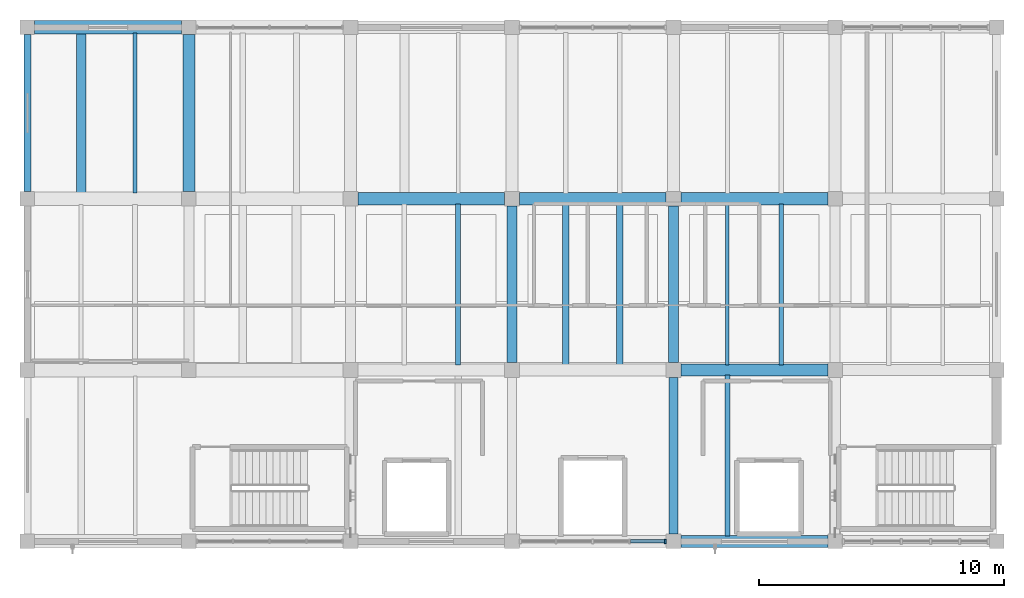
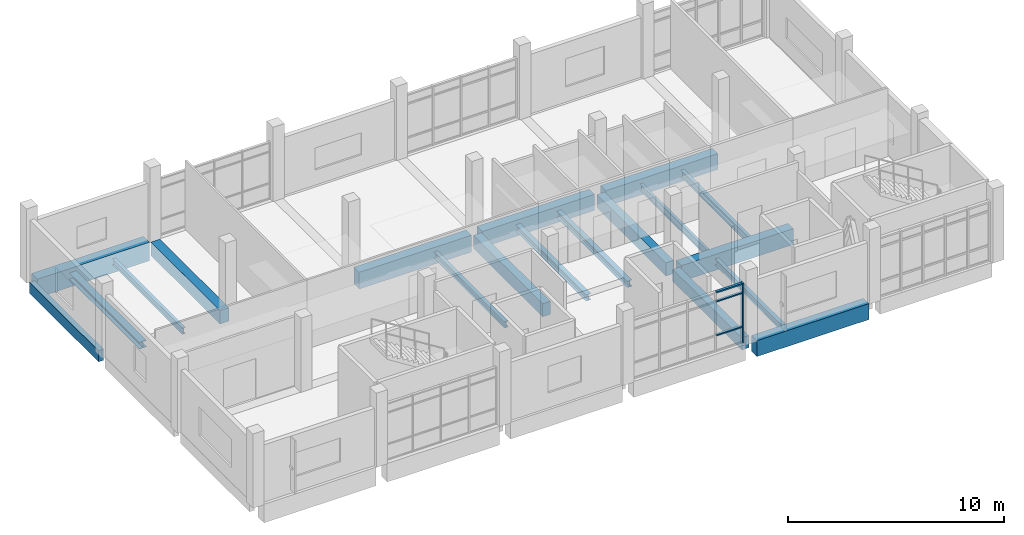
# One storey, part 3 of 14: 19 beams, 4 members, 1 element without a shape of its own.
"""IFC4 building model written with IfcOpenShell, lengths in metres."""

import ifcopenshell
import ifcopenshell.guid

model = None  # the IFC model being written
_history = None  # IfcOwnerHistory: only IFC2X3 demands one
_inside = {}  # id of a spatial element -> (the spatial element, [elements in it])
_under = {}  # id of a project, library or spatial element -> (it, [spatial elements below it])
_declared = {}  # id of a project -> (the project, [libraries it declares])
_typed = {}  # id of a type object -> (the type object, [elements of that type])
_made_of = {}  # id of a material, layer set ... -> (it, [elements and type objects made of it])


def new_model(schema):
    """Start an empty IFC model of exactly this schema.

    Asked for "IFC4X3", IfcOpenShell would pick the latest addendum, in which some entities
    have other attributes; the version numbers below select the first issue.
    IFC2X3 requires an IfcOwnerHistory on every rooted entity: one is made here for all.
    """
    global model, _history
    if schema == "IFC4X3":
        model = ifcopenshell.file(schema_version=(4, 3, 0, 0))
    else:
        model = ifcopenshell.file(schema=schema)
    _inside.clear()
    _under.clear()
    _declared.clear()
    _typed.clear()
    _made_of.clear()
    _history = None
    if model.schema == "IFC2X3":
        org = make("IfcOrganization", Name="unknown")
        user = make(
            "IfcPersonAndOrganization",
            ThePerson=make("IfcPerson", FamilyName="unknown"),
            TheOrganization=org,
        )
        app = make(
            "IfcApplication",
            ApplicationDeveloper=org,
            Version="unknown",
            ApplicationFullName="unknown",
            ApplicationIdentifier="unknown",
        )
        _history = make(
            "IfcOwnerHistory",
            OwningUser=user,
            OwningApplication=app,
            ChangeAction="ADDED",
            CreationDate=0,
        )
    return model


def make(cls, **values):
    """One entity of the class cls with the attributes given. An attribute that is None is left unset."""
    return model.create_entity(
        cls, **{name: value for name, value in values.items() if value is not None}
    )


def rooted(cls, **values):
    """An entity with a GlobalId (a new one), such as an element, a storey or a relation."""
    return make(cls, GlobalId=ifcopenshell.guid.new(), OwnerHistory=_history, **values)


def si_unit(unit_type, name, prefix=None):
    """IfcSIUnit, for example si_unit("LENGTHUNIT", "METRE", prefix="MILLI")."""
    return make("IfcSIUnit", UnitType=unit_type, Prefix=prefix, Name=name)


def assignment(units):
    """IfcUnitAssignment: the units of a project."""
    return None if units is None else make("IfcUnitAssignment", Units=units)


def point(xyz):
    """IfcCartesianPoint."""
    return None if xyz is None else make("IfcCartesianPoint", Coordinates=xyz)


def direction(xyz):
    """IfcDirection."""
    return None if xyz is None else make("IfcDirection", DirectionRatios=xyz)


def frame(location, z_axis=None, x_axis=None):
    """IfcAxis2Placement3D, a coordinate frame: its origin and axes. An axis left out is left unset."""
    return make(
        "IfcAxis2Placement3D",
        Location=point(location),
        Axis=direction(z_axis),
        RefDirection=direction(x_axis),
    )


def frame_2d(location, x_axis=None):
    """IfcAxis2Placement2D, a coordinate frame in the plane: its origin and x axis."""
    return make(
        "IfcAxis2Placement2D", Location=point(location), RefDirection=direction(x_axis)
    )


def origin():
    """The frame at (0, 0, 0) with its axes left unset."""
    return frame((0.0, 0.0, 0.0))


def origin_2d():
    """The frame at (0, 0) in the plane with its x axis left unset."""
    return frame_2d((0.0, 0.0))


def place(relative_to, where):
    """IfcLocalPlacement: puts the frame where relative to a parent placement (None: the world)."""
    return make(
        "IfcLocalPlacement", PlacementRelTo=relative_to, RelativePlacement=where
    )


def context(
    kind, dimensions, precision=None, world=None, true_north=None, identifier=None
):
    """IfcGeometricRepresentationContext, for example the 3D "Model" context."""
    return make(
        "IfcGeometricRepresentationContext",
        ContextIdentifier=identifier,
        ContextType=kind,
        CoordinateSpaceDimension=dimensions,
        Precision=precision,
        WorldCoordinateSystem=world,
        TrueNorth=true_north,
    )


def subcontext(parent, identifier, kind, view, scale=None):
    """IfcGeometricRepresentationSubContext, for example "Body" below "Model"."""
    return make(
        "IfcGeometricRepresentationSubContext",
        ContextIdentifier=identifier,
        ContextType=kind,
        ParentContext=parent,
        TargetScale=scale,
        TargetView=view,
    )


def project(units=None, contexts=None):
    """IfcProject with its units and contexts."""
    return rooted(
        "IfcProject",
        Name="project",
        RepresentationContexts=contexts,
        UnitsInContext=assignment(units),
    )


def spatial(cls, under=None, at=None, **own):
    """A site, building, storey or space (cls), placed at a placement, below another one or the project."""
    s = rooted(cls, ObjectPlacement=at, **own)
    if under is not None:
        _under.setdefault(under.id(), (under, []))[1].append(s)
    return s


def profile(cls, at=None, kind="AREA", **sizes):
    """A parametric profile (cls). Its sizes go by their IFC names, for example OverallWidth=200.0."""
    return make(cls, ProfileType=kind, Position=at, **sizes)


def rectangle(**sizes):
    """IfcRectangleProfileDef."""
    return profile("IfcRectangleProfileDef", **sizes)


def i_section(**sizes):
    """IfcIShapeProfileDef."""
    return profile("IfcIShapeProfileDef", **sizes)


def extrude(swept, where, along, depth):
    """IfcExtrudedAreaSolid: the profile swept, set in the frame where, extruded along a direction by depth."""
    return make(
        "IfcExtrudedAreaSolid",
        SweptArea=swept,
        Position=where,
        ExtrudedDirection=direction(along),
        Depth=depth,
    )


def shape(context_of_items, identifier, shape_type, items):
    """IfcShapeRepresentation: the items that make up one representation, for example the "Body"."""
    return make(
        "IfcShapeRepresentation",
        ContextOfItems=context_of_items,
        RepresentationIdentifier=identifier,
        RepresentationType=shape_type,
        Items=items,
    )


def material(Name=None, Category=None):
    """IfcMaterial."""
    return make("IfcMaterial", Name=Name, Category=Category)


def material_profile(
    of_material, cross_section, Name=None, Category=None, Priority=None
):
    """IfcMaterialProfile: a cross section and its material."""
    return make(
        "IfcMaterialProfile",
        Name=Name,
        Material=of_material,
        Profile=cross_section,
        Priority=Priority,
        Category=Category,
    )


def profile_set(profiles, Name=None, composite=None):
    """IfcMaterialProfileSet."""
    return make(
        "IfcMaterialProfileSet",
        Name=Name,
        MaterialProfiles=profiles,
        CompositeProfile=composite,
    )


def made_of(thing, what):
    """Note that an element or type object is made of a material, layer set ...; save() writes the relation."""
    if what is not None:
        _made_of.setdefault(what.id(), (what, []))[1].append(thing)
    return thing


def type_object(cls, material=None, **own):
    """A type object (cls), such as IfcWallType, which elements share."""
    return made_of(rooted(cls, **own), material)


def element(
    cls,
    number,
    at=None,
    inside=None,
    cuts=None,
    type_object=None,
    material=None,
    context=None,
    identifier="Body",
    shape_type=None,
    held_by="IfcProductDefinitionShape",
    body=None,
    shapes=None,
    **own,
):
    """One element of the class cls, such as IfcWall. Its Tag is "e" and its number.

    at: its placement. inside: the storey or other place that contains it. cuts: it is an
    opening in that element (IfcRelVoidsElement). A single representation is given by context,
    identifier, shape_type and body (its items); several are given by shapes. held_by: the class
    of the entity that holds the representations. save() writes the other relations.
    """
    e = rooted(cls, Tag="e%d" % number, ObjectPlacement=at, **own)
    if body is not None:
        shapes = [shape(context, identifier, shape_type, body)]
    if shapes is not None:
        e.Representation = make(held_by, Representations=shapes)
    if inside is not None:
        _inside.setdefault(inside.id(), (inside, []))[1].append(e)
    if cuts is not None:
        rooted(
            "IfcRelVoidsElement", RelatingBuildingElement=cuts, RelatedOpeningElement=e
        )
    if type_object is not None:
        _typed.setdefault(type_object.id(), (type_object, []))[1].append(e)
    return made_of(e, material)


def aggregate(whole, parts):
    """IfcRelAggregates: a whole, such as a stair, and the parts it consists of."""
    return rooted("IfcRelAggregates", RelatingObject=whole, RelatedObjects=parts)


def save(model, path):
    """Write the relations noted so far, then the file.

    IfcRelAggregates (storeys below a building ...), IfcRelContainedInSpatialStructure (elements
    in a storey), IfcRelDefinesByType, IfcRelAssociatesMaterial and IfcRelDeclares: one each for
    every whole, place, type object, material and project.
    """
    for whole, parts in _under.values():
        aggregate(whole, parts)
    for where, things in _inside.values():
        rooted(
            "IfcRelContainedInSpatialStructure",
            RelatedElements=things,
            RelatingStructure=where,
        )
    for kind, things in _typed.values():
        rooted("IfcRelDefinesByType", RelatedObjects=things, RelatingType=kind)
    for what, things in _made_of.values():
        rooted("IfcRelAssociatesMaterial", RelatedObjects=things, RelatingMaterial=what)
    for by, libraries in _declared.values():
        rooted("IfcRelDeclares", RelatingContext=by, RelatedDefinitions=libraries)
    model.write(path)


model = new_model("IFC4")

# Units and contexts
model_context = context("Model", 3, precision=1e-05, world=origin(), true_north=direction((0.0, 1.0)))
body_context = subcontext(model_context, "Body", "Model", "MODEL_VIEW")
ifc_project = project(units=[si_unit("LENGTHUNIT", "METRE"), si_unit("AREAUNIT", "SQUARE_METRE"), si_unit("VOLUMEUNIT", "CUBIC_METRE"), si_unit("PLANEANGLEUNIT", "RADIAN"), si_unit("MASSUNIT", "GRAM", prefix="KILO")], contexts=[model_context])

# Site, building, storey
site_placement = place(None, origin())
site = spatial("IfcSite", under=ifc_project, at=site_placement, CompositionType="ELEMENT")
building_placement = place(site_placement, origin())
building = spatial("IfcBuilding", under=site, at=building_placement, Name="Ciguamira Faculty of Natural Sciences", CompositionType="ELEMENT")
storey_placement = place(building_placement, frame((0.0, 0.0, 33.60009765625)))
storey = spatial("IfcBuildingStorey", under=building, at=storey_placement, Name="L08", CompositionType="ELEMENT", Elevation=33.60009765625)

# Curtain wall, members
ifc_material_1 = material(Name="Anodized aluminium curtain wall", Category="aluminium")
curtain_wall_type = type_object("IfcCurtainWallType", Name="CurtainWall_CW-11", PredefinedType="USERDEFINED", material=ifc_material_1)
curtain_wall_placement = place(storey_placement, origin())
curtain_wall = element("IfcCurtainWall", 1, at=curtain_wall_placement, inside=storey, type_object=curtain_wall_type, Name="L08 unitised curtain wall 0155", ObjectType="UNITISED CURTAIN WALL", PredefinedType="USERDEFINED")
ifc_material_2 = material(Name="Anodized aluminium mullion", Category="aluminium")
ifc_material_profile_1 = material_profile(ifc_material_2, rectangle(XDim=0.070068359375, YDim=0.179931640625, at=origin_2d()), Name="ALU-MUL-70X180")
ifc_profile_set_1 = profile_set([ifc_material_profile_1], Name="Anodized aluminium mullion")
member_type_1 = type_object("IfcMemberType", Name="CWMullion_CWM-02", PredefinedType="MULLION", material=ifc_profile_set_1)
member_1_placement = place(storey_placement, frame((89.965087890625, 94.0, 0.0), z_axis=(0.0, 0.0, 1.0), x_axis=(1.0, 0.0, 0.0)))
member_1 = element("IfcMember", 2, at=member_1_placement, type_object=member_type_1, Name="CW-11 mullion 5", PredefinedType="MULLION", context=body_context, shape_type="SweptSolid", body=[
    extrude(rectangle(XDim=0.070068359375, YDim=0.179931640625, at=origin_2d()), origin(), (0.0, 0.0, 1.0), 3.364990234375),
])
ifc_material_3 = material(Name="Anodized aluminium transom", Category="aluminium")
ifc_material_profile_2 = material_profile(ifc_material_3, rectangle(XDim=0.070068359375, YDim=0.139892578125, at=origin_2d()), Name="ALU-TRN-70X140")
ifc_profile_set_2 = profile_set([ifc_material_profile_2], Name="Anodized aluminium transom")
member_type_2 = type_object("IfcMemberType", Name="CWTransom_CWT-02", PredefinedType="USERDEFINED", material=ifc_profile_set_2)
member_2_placement = place(storey_placement, frame((88.534912109375, 94.0, 0.89990234375), z_axis=(1.0, 0.0, 0.0), x_axis=(0.0, 0.0, 1.0)))
member_2 = element("IfcMember", 3, at=member_2_placement, type_object=member_type_2, Name="CW-11 transom 4.2", ObjectType="TRANSOM", PredefinedType="USERDEFINED", context=body_context, shape_type="SweptSolid", body=[
    extrude(rectangle(XDim=0.070068359375, YDim=0.139892578125, at=origin_2d()), origin(), (0.0, 0.0, 1.0), 1.39501953125),
])
member_3_placement = place(storey_placement, frame((88.534912109375, 94.0, 2.81494140625), z_axis=(1.0, 0.0, 0.0), x_axis=(0.0, 0.0, 1.0)))
member_3 = element("IfcMember", 4, at=member_3_placement, type_object=member_type_2, Name="CW-11 transom 4.3", ObjectType="TRANSOM", PredefinedType="USERDEFINED", context=body_context, shape_type="SweptSolid", body=[
    extrude(rectangle(XDim=0.070068359375, YDim=0.139892578125, at=origin_2d()), origin(), (0.0, 0.0, 1.0), 1.39501953125),
])
member_4_placement = place(storey_placement, frame((88.534912109375, 94.0, 3.329833984375), z_axis=(1.0, 0.0, 0.0), x_axis=(0.0, 0.0, 1.0)))
member_4 = element("IfcMember", 5, at=member_4_placement, type_object=member_type_2, Name="CW-11 transom 4.4", ObjectType="TRANSOM", PredefinedType="USERDEFINED", context=body_context, shape_type="SweptSolid", body=[
    extrude(rectangle(XDim=0.070068359375, YDim=0.139892578125, at=origin_2d()), origin(), (0.0, 0.0, 1.0), 1.39501953125),
])
aggregate(curtain_wall, [member_1, member_2, member_3, member_4])

# Beams
ifc_material_4 = material(Name="Concrete C40/50", Category="concrete")
ifc_material_profile_3 = material_profile(ifc_material_4, rectangle(XDim=0.550048828125, YDim=1.050048828125, at=origin_2d()), Name="RC-BM-550X1050")
ifc_profile_set_3 = profile_set([ifc_material_profile_3], Name="Concrete C40/50")
beam_type_1 = type_object("IfcBeamType", Name="RCBeam_BG-01_RC-BM-550X1050", PredefinedType="BEAM", material=ifc_profile_set_3)
beam_1_placement = place(storey_placement, frame((64.199951171875, 115.0, -0.525146484375), z_axis=(1.0, 0.0, 0.0), x_axis=(0.0, 1.0, 0.0)))
element("IfcBeam", 6, at=beam_1_placement, inside=storey, type_object=beam_type_1, Name="L08 RC girder EW-1610", PredefinedType="BEAM", context=body_context, shape_type="SweptSolid", body=[
    extrude(rectangle(XDim=0.550048828125, YDim=1.050048828125, at=origin_2d()), origin(), (0.0, 0.0, 1.0), 6.0),
])
ifc_material_profile_4 = material_profile(ifc_material_4, rectangle(XDim=0.5, YDim=0.949951171875, at=origin_2d()), Name="RC-BM-500X950")
ifc_profile_set_4 = profile_set([ifc_material_profile_4], Name="Concrete C40/50")
beam_type_2 = type_object("IfcBeamType", Name="RCBeam_BG-02_RC-BM-500X950", PredefinedType="BEAM", material=ifc_profile_set_4)
beam_2_placement = place(storey_placement, frame((77.39990234375, 108.0, -0.47509765625), z_axis=(1.0, 0.0, 0.0), x_axis=(0.0, 1.0, 0.0)))
element("IfcBeam", 7, at=beam_2_placement, inside=storey, type_object=beam_type_2, Name="L08 RC girder EW-1606", PredefinedType="BEAM", context=body_context, shape_type="SweptSolid", body=[
    extrude(rectangle(XDim=0.5, YDim=0.949951171875, at=origin_2d()), origin(), (0.0, 0.0, 1.0), 6.0),
])
ifc_material_profile_5 = material_profile(ifc_material_4, rectangle(XDim=0.5, YDim=0.89990234375, at=origin_2d()), Name="RC-BM-500X900")
ifc_profile_set_5 = profile_set([ifc_material_profile_5], Name="Concrete C40/50")
beam_type_3 = type_object("IfcBeamType", Name="RCBeam_BG-03_RC-BM-500X900", PredefinedType="BEAM", material=ifc_profile_set_5)
for number, where, z_axis, x_axis, name in (
    (8, (90.60009765625, 94.0, -0.4501953125), (1.0, 0.0, 0.0), (0.0, 1.0, 0.0), "L08 RC girder EW-1596"),
    (9, (90.60009765625, 101.0, -0.4501953125), (1.0, 0.0, 0.0), (0.0, 1.0, 0.0), "L08 RC girder EW-1602"),
    (10, (84.0, 108.0, -0.4501953125), (1.0, 0.0, 0.0), (0.0, 1.0, 0.0), "L08 RC girder EW-1607"),
    (11, (90.60009765625, 108.0, -0.4501953125), (1.0, 0.0, 0.0), (0.0, 1.0, 0.0), "L08 RC girder EW-1608"),
):
    element("IfcBeam", number, at=place(storey_placement, frame(where, z_axis=z_axis, x_axis=x_axis)), inside=storey, type_object=beam_type_3, Name=name, PredefinedType="BEAM", context=body_context, shape_type="SweptSolid", body=[
        extrude(rectangle(XDim=0.5, YDim=0.89990234375, at=origin_2d()), origin(), (0.0, 0.0, 1.0), 6.0),
    ])
ifc_material_profile_6 = material_profile(ifc_material_4, rectangle(XDim=0.419921875, YDim=0.739990234375, at=origin_2d()), Name="RC-BM-420X740")
ifc_profile_set_6 = profile_set([ifc_material_profile_6], Name="Concrete C40/50")
beam_type_4 = type_object("IfcBeamType", Name="RCBeam_BG-07_RC-BM-420X740", PredefinedType="BEAM", material=ifc_profile_set_6)
for number, where, z_axis, x_axis, name in (
    (12, (83.699951171875, 101.300048828125, -0.3701171875), (0.0, 1.0, 0.0), (-1.0, 0.0, 0.0), "L08 girder NS-1624"),
    (13, (90.300048828125, 101.300048828125, -0.3701171875), (0.0, 1.0, 0.0), (-1.0, 0.0, 0.0), "L08 girder NS-1627"),
):
    element("IfcBeam", number, at=place(storey_placement, frame(where, z_axis=z_axis, x_axis=x_axis)), inside=storey, type_object=beam_type_4, Name=name, PredefinedType="BEAM", context=body_context, shape_type="SweptSolid", body=[
        extrude(rectangle(XDim=0.419921875, YDim=0.739990234375, at=origin_2d()), origin(), (0.0, 0.0, 1.0), 6.39990234375),
    ])
ifc_material_profile_7 = material_profile(ifc_material_4, rectangle(XDim=0.3798828125, YDim=0.679931640625, at=origin_2d()), Name="RC-BM-380X680")
ifc_profile_set_7 = profile_set([ifc_material_profile_7], Name="Concrete C40/50")
beam_type_5 = type_object("IfcBeamType", Name="RCBeam_BG-09_RC-BM-380X680", PredefinedType="BEAM", material=ifc_profile_set_7)
beam_3_placement = place(storey_placement, frame((90.300048828125, 94.300048828125, -0.340087890625), z_axis=(0.0, 1.0, 0.0), x_axis=(-1.0, 0.0, 0.0)))
element("IfcBeam", 14, at=beam_3_placement, inside=storey, type_object=beam_type_5, Name="L08 girder NS-1626", PredefinedType="BEAM", context=body_context, shape_type="SweptSolid", body=[
    extrude(rectangle(XDim=0.3798828125, YDim=0.679931640625, at=origin_2d()), origin(), (0.0, 0.0, 1.0), 6.39990234375),
])
ifc_material_5 = material(Name="Precast concrete C40/50", Category="concrete")
ifc_material_profile_8 = material_profile(ifc_material_5, rectangle(XDim=0.280029296875, YDim=0.6201171875, at=origin_2d()), Name="RC-SP-280X620")
ifc_profile_set_8 = profile_set([ifc_material_profile_8], Name="Precast concrete C40/50")
beam_type_6 = type_object("IfcBeamType", Name="RCBeam_SP-01_RC-SP-280X620", PredefinedType="SPANDREL", material=ifc_profile_set_8)
beam_4_placement = place(storey_placement, frame((63.89990234375, 108.300048828125, -0.31005859375), z_axis=(0.0, 1.0, 0.0), x_axis=(-1.0, 0.0, 0.0)))
element("IfcBeam", 15, at=beam_4_placement, inside=storey, type_object=beam_type_6, Name="L08 girder NS-1618", PredefinedType="SPANDREL", context=body_context, shape_type="SweptSolid", body=[
    extrude(rectangle(XDim=0.280029296875, YDim=0.6201171875, at=origin_2d()), origin(), (0.0, 0.0, 1.0), 6.39990234375),
])
ifc_material_profile_9 = material_profile(ifc_material_4, rectangle(XDim=0.47998046875, YDim=0.760009765625, at=origin_2d()), Name="RC-TB-480X760")
ifc_profile_set_9 = profile_set([ifc_material_profile_9], Name="Concrete C40/50")
beam_type_7 = type_object("IfcBeamType", Name="RCBeam_TB-01_RC-TB-480X760", PredefinedType="T_BEAM", material=ifc_profile_set_9)
beam_5_placement = place(storey_placement, frame((70.5, 108.300048828125, -0.380126953125), z_axis=(0.0, 1.0, 0.0), x_axis=(-1.0, 0.0, 0.0)))
element("IfcBeam", 16, at=beam_5_placement, inside=storey, type_object=beam_type_7, Name="L08 girder NS-1620", PredefinedType="T_BEAM", context=body_context, shape_type="SweptSolid", body=[
    extrude(rectangle(XDim=0.47998046875, YDim=0.760009765625, at=origin_2d()), origin(), (0.0, 0.0, 1.0), 6.39990234375),
])
ifc_material_6 = material(Name="Steel ASTM A992 Grade 50", Category="steel")
ifc_material_profile_10 = material_profile(ifc_material_6, i_section(OverallWidth=0.373291015625, OverallDepth=0.373291015625, WebThickness=0.016357421875, FlangeThickness=0.026123046875, at=origin_2d()), Name="W14X132")
ifc_profile_set_10 = profile_set([ifc_material_profile_10], Name="Steel ASTM A992 Grade 50")
beam_type_8 = type_object("IfcBeamType", Name="SteelJoist_SJ-10_W14X132", PredefinedType="JOIST", material=ifc_profile_set_10)
beam_6_placement = place(storey_placement, frame((66.10009765625, 108.235107421875, -0.4267578125), z_axis=(0.0, 1.0, 0.0), x_axis=(-1.0, 0.0, 0.0)))
element("IfcBeam", 17, at=beam_6_placement, inside=storey, type_object=beam_type_8, Name="L08 composite steel joist 01454", PredefinedType="JOIST", context=body_context, shape_type="SweptSolid", body=[
    extrude(i_section(OverallWidth=0.373291015625, OverallDepth=0.373291015625, WebThickness=0.016357421875, FlangeThickness=0.026123046875, at=origin_2d()), origin(), (0.0, 0.0, 1.0), 6.52978515625),
])
ifc_material_profile_11 = material_profile(ifc_material_6, i_section(OverallWidth=0.1708984375, OverallDepth=0.3505859375, WebThickness=0.0068359375, FlangeThickness=0.009765625, at=origin_2d()), Name="W14X30")
ifc_profile_set_11 = profile_set([ifc_material_profile_11], Name="Steel ASTM A992 Grade 50")
beam_type_9 = type_object("IfcBeamType", Name="SteelJoist_SJ-11_W14X30", PredefinedType="JOIST", material=ifc_profile_set_11)
beam_7_placement = place(storey_placement, frame((68.300048828125, 108.235107421875, -0.415283203125), z_axis=(0.0, 1.0, 0.0), x_axis=(-1.0, 0.0, 0.0)))
element("IfcBeam", 18, at=beam_7_placement, inside=storey, type_object=beam_type_9, Name="L08 composite steel joist 01455", PredefinedType="JOIST", context=body_context, shape_type="SweptSolid", body=[
    extrude(i_section(OverallWidth=0.1708984375, OverallDepth=0.3505859375, WebThickness=0.0068359375, FlangeThickness=0.009765625, at=origin_2d()), origin(), (0.0, 0.0, 1.0), 6.52978515625),
])
ifc_material_profile_12 = material_profile(ifc_material_6, i_section(OverallWidth=0.203125, OverallDepth=0.347900390625, WebThickness=0.0078125, FlangeThickness=0.013427734375, at=origin_2d()), Name="W14X43")
ifc_profile_set_12 = profile_set([ifc_material_profile_12], Name="Steel ASTM A992 Grade 50")
beam_type_10 = type_object("IfcBeamType", Name="SteelJoist_SJ-12_W14X43", PredefinedType="JOIST", material=ifc_profile_set_12)
for number, where, z_axis, x_axis, name in (
    (19, (81.5, 101.2099609375, -0.4140625), (0.0, 1.0, 0.0), (-1.0, 0.0, 0.0), "L08 composite steel joist 01462"),
    (20, (92.5, 94.2099609375, -0.4140625), (0.0, 1.0, 0.0), (-1.0, 0.0, 0.0), "L08 composite steel joist 01469"),
):
    element("IfcBeam", number, at=place(storey_placement, frame(where, z_axis=z_axis, x_axis=x_axis)), inside=storey, type_object=beam_type_10, Name=name, PredefinedType="JOIST", context=body_context, shape_type="SweptSolid", body=[
        extrude(i_section(OverallWidth=0.203125, OverallDepth=0.347900390625, WebThickness=0.0078125, FlangeThickness=0.013427734375, at=origin_2d()), origin(), (0.0, 0.0, 1.0), 6.580078125),
    ])
ifc_material_profile_13 = material_profile(ifc_material_6, i_section(OverallWidth=0.25390625, OverallDepth=0.355712890625, WebThickness=0.010498046875, FlangeThickness=0.018310546875, at=origin_2d()), Name="W14X68")
ifc_profile_set_13 = profile_set([ifc_material_profile_13], Name="Steel ASTM A992 Grade 50")
beam_type_11 = type_object("IfcBeamType", Name="SteelJoist_SJ-14_W14X68", PredefinedType="JOIST", material=ifc_profile_set_13)
beam_8_placement = place(storey_placement, frame((85.89990234375, 101.2099609375, -0.41796875), z_axis=(0.0, 1.0, 0.0), x_axis=(-1.0, 0.0, 0.0)))
element("IfcBeam", 21, at=beam_8_placement, inside=storey, type_object=beam_type_11, Name="L08 composite steel joist 01465", PredefinedType="JOIST", context=body_context, shape_type="SweptSolid", body=[
    extrude(i_section(OverallWidth=0.25390625, OverallDepth=0.355712890625, WebThickness=0.010498046875, FlangeThickness=0.018310546875, at=origin_2d()), origin(), (0.0, 0.0, 1.0), 6.580078125),
])
ifc_material_profile_14 = material_profile(ifc_material_6, i_section(OverallWidth=0.256591796875, OverallDepth=0.36328125, WebThickness=0.012939453125, FlangeThickness=0.021728515625, at=origin_2d()), Name="W14X82")
ifc_profile_set_14 = profile_set([ifc_material_profile_14], Name="Steel ASTM A992 Grade 50")
beam_type_12 = type_object("IfcBeamType", Name="SteelJoist_SJ-15_W14X82", PredefinedType="JOIST", material=ifc_profile_set_14)
beam_9_placement = place(storey_placement, frame((88.10009765625, 101.2099609375, -0.421630859375), z_axis=(0.0, 1.0, 0.0), x_axis=(-1.0, 0.0, 0.0)))
element("IfcBeam", 22, at=beam_9_placement, inside=storey, type_object=beam_type_12, Name="L08 composite steel joist 01466", PredefinedType="JOIST", context=body_context, shape_type="SweptSolid", body=[
    extrude(i_section(OverallWidth=0.256591796875, OverallDepth=0.36328125, WebThickness=0.012939453125, FlangeThickness=0.021728515625, at=origin_2d()), origin(), (0.0, 0.0, 1.0), 6.580078125),
])
ifc_material_profile_15 = material_profile(ifc_material_6, i_section(OverallWidth=0.140380859375, OverallDepth=0.40380859375, WebThickness=0.007080078125, FlangeThickness=0.01123046875, at=origin_2d()), Name="W16X31")
ifc_profile_set_15 = profile_set([ifc_material_profile_15], Name="Steel ASTM A992 Grade 50")
beam_type_13 = type_object("IfcBeamType", Name="SteelJoist_SJ-17_W16X31", PredefinedType="JOIST", material=ifc_profile_set_15)
beam_10_placement = place(storey_placement, frame((92.5, 101.2099609375, -0.44189453125), z_axis=(0.0, 1.0, 0.0), x_axis=(-1.0, 0.0, 0.0)))
element("IfcBeam", 23, at=beam_10_placement, inside=storey, type_object=beam_type_13, Name="L08 composite steel joist 01470", PredefinedType="JOIST", context=body_context, shape_type="SweptSolid", body=[
    extrude(i_section(OverallWidth=0.140380859375, OverallDepth=0.40380859375, WebThickness=0.007080078125, FlangeThickness=0.01123046875, at=origin_2d()), origin(), (0.0, 0.0, 1.0), 6.580078125),
])
ifc_material_profile_16 = material_profile(ifc_material_6, i_section(OverallWidth=0.177490234375, OverallDepth=0.40380859375, WebThickness=0.007568359375, FlangeThickness=0.010986328125, at=origin_2d()), Name="W16X36")
ifc_profile_set_16 = profile_set([ifc_material_profile_16], Name="Steel ASTM A992 Grade 50")
beam_type_14 = type_object("IfcBeamType", Name="SteelJoist_SJ-18_W16X36", PredefinedType="JOIST", material=ifc_profile_set_16)
beam_11_placement = place(storey_placement, frame((94.699951171875, 101.2099609375, -0.44189453125), z_axis=(0.0, 1.0, 0.0), x_axis=(-1.0, 0.0, 0.0)))
element("IfcBeam", 24, at=beam_11_placement, inside=storey, type_object=beam_type_14, Name="L08 composite steel joist 01471", PredefinedType="JOIST", context=body_context, shape_type="SweptSolid", body=[
    extrude(i_section(OverallWidth=0.177490234375, OverallDepth=0.40380859375, WebThickness=0.007568359375, FlangeThickness=0.010986328125, at=origin_2d()), origin(), (0.0, 0.0, 1.0), 6.580078125),
])

save(model, "model.ifc")
